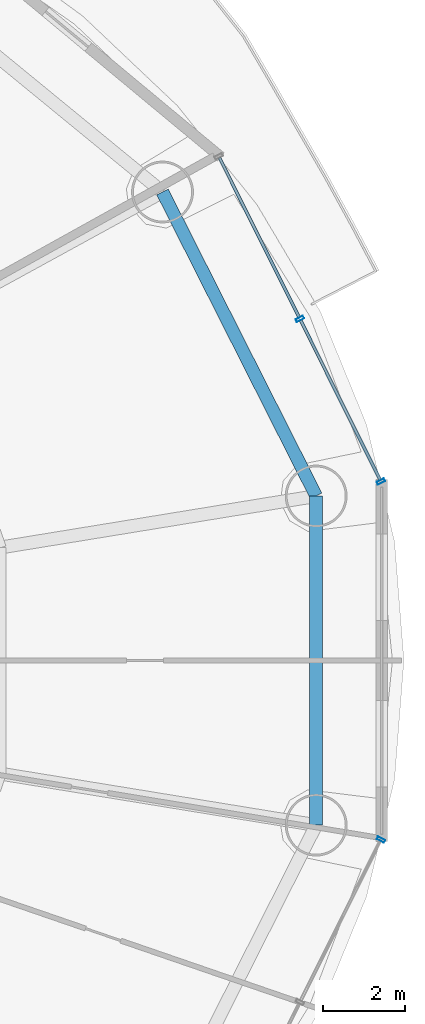
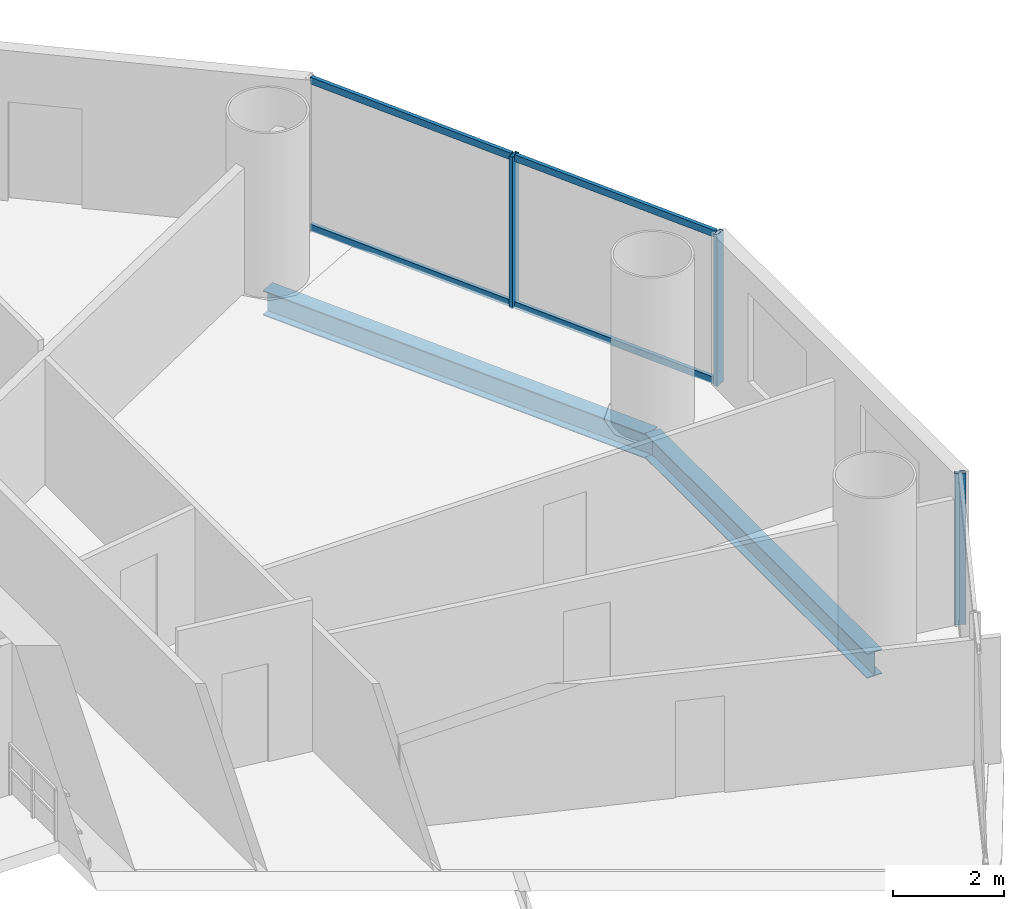
# One storey, part 15 of 29: 7 members, 2 beams, 2 elements without a shape of their own.
"""IFC4 building model written with IfcOpenShell, lengths in metres."""

from ifc_helpers import new_model, si_unit, direction, frame, origin, origin_2d, place, context, subcontext, project, spatial, hollow_rectangle, i_section, extrude, source, transform, mapped, material, material_profile, profile_set, type_object, element, aggregate, save


model = new_model("IFC4")

# Units and contexts
model_context = context("Model", 3, precision=1e-05, world=origin(), true_north=direction((-0.2419218956, 0.970295726276)))
body_context = subcontext(model_context, "Body", "Model", "MODEL_VIEW")
ifc_project = project(units=[si_unit("LENGTHUNIT", "METRE"), si_unit("AREAUNIT", "SQUARE_METRE"), si_unit("VOLUMEUNIT", "CUBIC_METRE"), si_unit("PLANEANGLEUNIT", "RADIAN"), si_unit("MASSUNIT", "GRAM", prefix="KILO")], contexts=[model_context])

# Site, building, storey
site_placement = place(None, origin())
site = spatial("IfcSite", under=ifc_project, at=site_placement, CompositionType="ELEMENT")
building_placement = place(site_placement, origin())
building = spatial("IfcBuilding", under=site, at=building_placement, Name="Cobrevalo Terracotta Tower", CompositionType="ELEMENT")
storey_placement = place(building_placement, frame((0.0, 0.0, 94.199951171875)))
storey = spatial("IfcBuildingStorey", under=building, at=storey_placement, Name="L24", CompositionType="ELEMENT", Elevation=94.199951171875)

# Beams
ifc_material_1 = material(Name="Steel S355", Category="steel")
ifc_material_profile_1 = material_profile(ifc_material_1, i_section(OverallWidth=0.31201171875, OverallDepth=0.54296875, WebThickness=0.0126953125, FlangeThickness=0.020263671875, at=origin_2d()), Name="W 530x150")
ifc_profile_set_1 = profile_set([ifc_material_profile_1], Name="Steel S355")
beam_type = type_object("IfcBeamType", Name="Structural Spandrel W 530x150 (Steel S355)", PredefinedType="SPANDREL", material=ifc_profile_set_1)
beam_1_placement = place(storey_placement, frame((62.470703125, 30.78955078125, -0.54638671875), z_axis=(-0.451051982172, 0.892497680321, 0.0), x_axis=(-0.892497680321, -0.451051982172, 0.0)))
element("IfcBeam", 1, at=beam_1_placement, inside=storey, type_object=beam_type, Name="L24 perimeter ring spandrel 01", PredefinedType="SPANDREL", context=body_context, shape_type="SweptSolid", body=[
    extrude(i_section(OverallWidth=0.31201171875, OverallDepth=0.54296875, WebThickness=0.0126953125, FlangeThickness=0.020263671875, at=origin_2d()), origin(), (0.0, 0.0, 1.0), 8.259765625),
])
beam_2_placement = place(storey_placement, frame((62.470703125, 22.810302734375, -0.54638671875), z_axis=(0.0, 1.0, 0.0), x_axis=(-1.0, 0.0, 0.0)))
element("IfcBeam", 2, at=beam_2_placement, inside=storey, type_object=beam_type, Name="L24 perimeter ring spandrel 16", PredefinedType="SPANDREL", context=body_context, shape_type="SweptSolid", body=[
    extrude(i_section(OverallWidth=0.31201171875, OverallDepth=0.54296875, WebThickness=0.0126953125, FlangeThickness=0.020263671875, at=origin_2d()), origin(), (0.0, 0.0, 1.0), 7.979248046875),
])

# Curtain wall, members
ifc_material_2 = material(Name="Anodized aluminium", Category="aluminium")
curtain_wall_type = type_object("IfcCurtainWallType", Name="Lower-tower unitised acoustic low-E curtain wall CW-U1", PredefinedType="NOTDEFINED", material=ifc_material_2)
curtain_wall_1_placement = place(storey_placement, origin())
curtain_wall_1 = element("IfcCurtainWall", 3, at=curtain_wall_1_placement, inside=storey, type_object=curtain_wall_type, Name="L24 curtain wall CW-L24-S01", PredefinedType="NOTDEFINED")
ifc_material_profile_2 = material_profile(ifc_material_2, hollow_rectangle(XDim=0.074951171875, YDim=0.199951171875, WallThickness=0.0048828125, at=origin_2d()), Name="CWM 75x200")
ifc_profile_set_2 = profile_set([ifc_material_profile_2], Name="Anodized aluminium")
member_type_1 = type_object("IfcMemberType", Name="Lower/mid tower unitised mullion 75x200", PredefinedType="MULLION", material=ifc_profile_set_2)
shared_shape_1 = source(origin(), body_context, "Body", "SweptSolid", [
    extrude(hollow_rectangle(XDim=0.074951171875, YDim=0.199951171875, WallThickness=0.0048828125, at=origin_2d()), origin(), (0.0, 0.0, 1.0), 3.324951171875),
])
member_1_placement = place(storey_placement, frame((64.04150390625, 31.141357421875, 0.0), z_axis=(0.0, 0.0, 1.0), x_axis=(-0.446260290227, 0.894903208937, 0.0)))
member_1 = element("IfcMember", 4, at=member_1_placement, type_object=member_type_1, Name="CW-L24-S01 vertical mullion 01", PredefinedType="MULLION", context=body_context, shape_type="MappedRepresentation", body=[
    mapped(shared_shape_1, transform((0.0, 0.0, 0.0), scale=1.0)),
])
member_2_placement = place(storey_placement, frame((62.075927734375, 35.08349609375, 0.0), z_axis=(0.0, 0.0, 1.0), x_axis=(-0.446260290227, 0.894903208937, 0.0)))
member_2 = element("IfcMember", 5, at=member_2_placement, type_object=member_type_1, Name="CW-L24-S01 vertical mullion 02", PredefinedType="MULLION", context=body_context, shape_type="MappedRepresentation", body=[
    mapped(shared_shape_1, transform((0.0, 0.0, 0.0), scale=1.0)),
])

# Curtain wall, member
curtain_wall_2_placement = place(storey_placement, origin())
curtain_wall_2 = element("IfcCurtainWall", 6, at=curtain_wall_2_placement, inside=storey, type_object=curtain_wall_type, Name="L24 curtain wall CW-L24-S15", PredefinedType="NOTDEFINED")
member_3_placement = place(storey_placement, frame((64.04150390625, 22.45849609375, 0.0), z_axis=(0.0, 0.0, 1.0), x_axis=(0.446260290227, 0.894903208937, 0.0)))
member_3 = element("IfcMember", 7, at=member_3_placement, type_object=member_type_1, Name="CW-L24-S15 vertical mullion 03", PredefinedType="MULLION", context=body_context, shape_type="MappedRepresentation", body=[
    mapped(shared_shape_1, transform((0.0, 0.0, 0.0), scale=1.0)),
])
aggregate(curtain_wall_2, [member_3])

# Member
ifc_material_profile_3 = material_profile(ifc_material_2, hollow_rectangle(XDim=0.074951171875, YDim=0.14990234375, WallThickness=0.00439453125, at=origin_2d()), Name="CWT 75x150")
ifc_profile_set_3 = profile_set([ifc_material_profile_3], Name="Anodized aluminium")
member_type_2 = type_object("IfcMemberType", Name="Tower unitised aluminium transom 75x150", PredefinedType="USERDEFINED", material=ifc_profile_set_3)
shared_shape_2 = source(origin(), body_context, "Body", "SweptSolid", [
    extrude(hollow_rectangle(XDim=0.074951171875, YDim=0.14990234375, WallThickness=0.00439453125, at=origin_2d()), origin(), (0.0, 0.0, 1.0), 4.324951171875),
])
member_4_placement = place(storey_placement, frame((64.023681640625, 31.17724609375, 0.050048828125), z_axis=(-0.446219838389, 0.894923379864, 0.0), x_axis=(-0.894923379864, -0.446219838389, 0.0)))
member_4 = element("IfcMember", 8, at=member_4_placement, type_object=member_type_2, Name="CW-L24-S01 transom B01-T1", ObjectType="TRANSOM", PredefinedType="USERDEFINED", context=body_context, shape_type="MappedRepresentation", body=[
    mapped(shared_shape_2, transform((0.0, 0.0, 0.0), scale=1.0)),
])

member_5_placement = place(storey_placement, frame((64.023681640625, 31.17724609375, 3.275146484375), z_axis=(-0.446219838389, 0.894923379864, 0.0), x_axis=(-0.894923379864, -0.446219838389, 0.0)))
member_5 = element("IfcMember", 9, at=member_5_placement, type_object=member_type_2, Name="CW-L24-S01 transom B01-T2", ObjectType="TRANSOM", PredefinedType="USERDEFINED", context=body_context, shape_type="MappedRepresentation", body=[
    mapped(shared_shape_2, transform((0.0, 0.0, 0.0), scale=1.0)),
])

member_6_placement = place(storey_placement, frame((62.057861328125, 35.119384765625, 0.050048828125), z_axis=(-0.44624238083, 0.894912139571, 0.0), x_axis=(-0.894912139571, -0.44624238083, 0.0)))
member_6 = element("IfcMember", 10, at=member_6_placement, type_object=member_type_2, Name="CW-L24-S01 transom B02-T1", ObjectType="TRANSOM", PredefinedType="USERDEFINED", context=body_context, shape_type="MappedRepresentation", body=[
    mapped(shared_shape_2, transform((0.0, 0.0, 0.0), scale=1.0)),
])

member_7_placement = place(storey_placement, frame((62.057861328125, 35.119384765625, 3.275146484375), z_axis=(-0.44624238083, 0.894912139571, 0.0), x_axis=(-0.894912139571, -0.44624238083, 0.0)))
member_7 = element("IfcMember", 11, at=member_7_placement, type_object=member_type_2, Name="CW-L24-S01 transom B02-T2", ObjectType="TRANSOM", PredefinedType="USERDEFINED", context=body_context, shape_type="MappedRepresentation", body=[
    mapped(shared_shape_2, transform((0.0, 0.0, 0.0), scale=1.0)),
])

aggregate(curtain_wall_1, [member_1, member_2, member_4, member_5, member_6, member_7])

save(model, "model.ifc")
